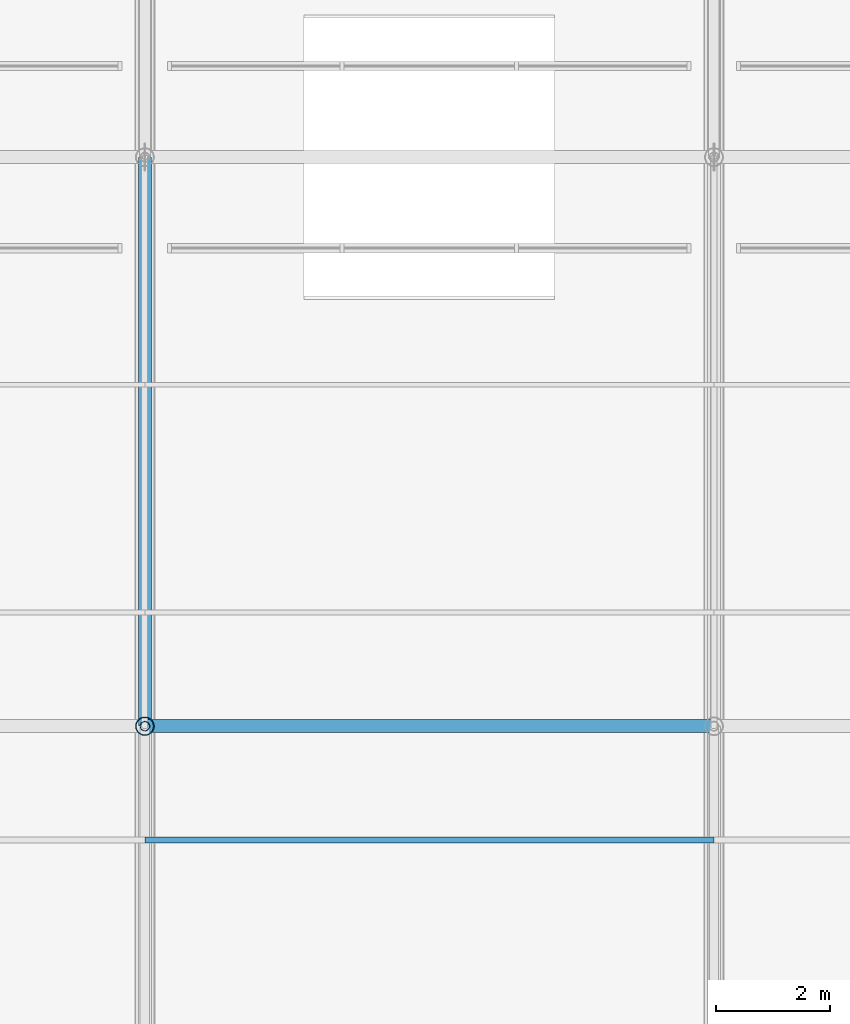
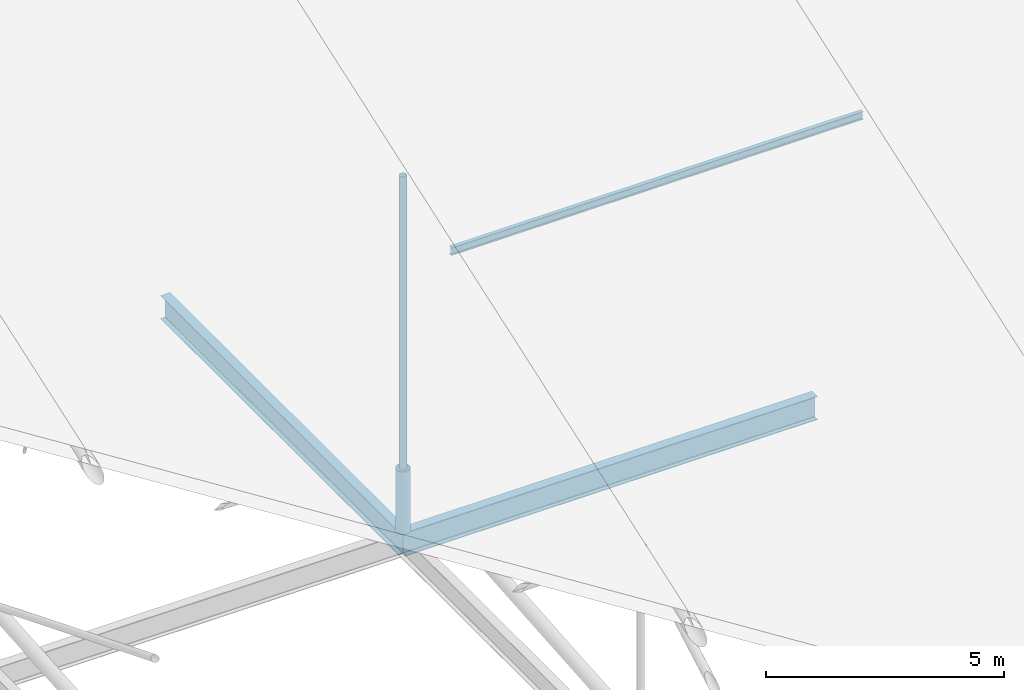
# One storey, part 21 of 93: 3 members, 2 beams.
"""IFC4 building model written with IfcOpenShell, lengths in metres."""

import ifcopenshell
import ifcopenshell.guid

model = None  # the IFC model being written
_history = None  # IfcOwnerHistory: only IFC2X3 demands one
_inside = {}  # id of a spatial element -> (the spatial element, [elements in it])
_under = {}  # id of a project, library or spatial element -> (it, [spatial elements below it])
_declared = {}  # id of a project -> (the project, [libraries it declares])
_typed = {}  # id of a type object -> (the type object, [elements of that type])
_made_of = {}  # id of a material, layer set ... -> (it, [elements and type objects made of it])


def new_model(schema):
    """Start an empty IFC model of exactly this schema.

    Asked for "IFC4X3", IfcOpenShell would pick the latest addendum, in which some entities
    have other attributes; the version numbers below select the first issue.
    IFC2X3 requires an IfcOwnerHistory on every rooted entity: one is made here for all.
    """
    global model, _history
    if schema == "IFC4X3":
        model = ifcopenshell.file(schema_version=(4, 3, 0, 0))
    else:
        model = ifcopenshell.file(schema=schema)
    _inside.clear()
    _under.clear()
    _declared.clear()
    _typed.clear()
    _made_of.clear()
    _history = None
    if model.schema == "IFC2X3":
        org = make("IfcOrganization", Name="unknown")
        user = make(
            "IfcPersonAndOrganization",
            ThePerson=make("IfcPerson", FamilyName="unknown"),
            TheOrganization=org,
        )
        app = make(
            "IfcApplication",
            ApplicationDeveloper=org,
            Version="unknown",
            ApplicationFullName="unknown",
            ApplicationIdentifier="unknown",
        )
        _history = make(
            "IfcOwnerHistory",
            OwningUser=user,
            OwningApplication=app,
            ChangeAction="ADDED",
            CreationDate=0,
        )
    return model


def make(cls, **values):
    """One entity of the class cls with the attributes given. An attribute that is None is left unset."""
    return model.create_entity(
        cls, **{name: value for name, value in values.items() if value is not None}
    )


def rooted(cls, **values):
    """An entity with a GlobalId (a new one), such as an element, a storey or a relation."""
    return make(cls, GlobalId=ifcopenshell.guid.new(), OwnerHistory=_history, **values)


def si_unit(unit_type, name, prefix=None):
    """IfcSIUnit, for example si_unit("LENGTHUNIT", "METRE", prefix="MILLI")."""
    return make("IfcSIUnit", UnitType=unit_type, Prefix=prefix, Name=name)


def derived_unit(unit_type, elements):
    """IfcDerivedUnit: a product of units, each with its exponent."""
    return make(
        "IfcDerivedUnit",
        Elements=[
            make("IfcDerivedUnitElement", Unit=unit, Exponent=power)
            for unit, power in elements
        ],
        UnitType=unit_type,
    )


def assignment(units):
    """IfcUnitAssignment: the units of a project."""
    return None if units is None else make("IfcUnitAssignment", Units=units)


def point(xyz):
    """IfcCartesianPoint."""
    return None if xyz is None else make("IfcCartesianPoint", Coordinates=xyz)


def direction(xyz):
    """IfcDirection."""
    return None if xyz is None else make("IfcDirection", DirectionRatios=xyz)


def frame(location, z_axis=None, x_axis=None):
    """IfcAxis2Placement3D, a coordinate frame: its origin and axes. An axis left out is left unset."""
    return make(
        "IfcAxis2Placement3D",
        Location=point(location),
        Axis=direction(z_axis),
        RefDirection=direction(x_axis),
    )


def frame_2d(location, x_axis=None):
    """IfcAxis2Placement2D, a coordinate frame in the plane: its origin and x axis."""
    return make(
        "IfcAxis2Placement2D", Location=point(location), RefDirection=direction(x_axis)
    )


def origin():
    """The frame at (0, 0, 0) with its axes left unset."""
    return frame((0.0, 0.0, 0.0))


def origin_2d_with_axis():
    """The frame at (0, 0) in the plane with the x axis (1, 0) written out."""
    return frame_2d((0.0, 0.0), x_axis=(1.0, 0.0))


def place(relative_to, where):
    """IfcLocalPlacement: puts the frame where relative to a parent placement (None: the world)."""
    return make(
        "IfcLocalPlacement", PlacementRelTo=relative_to, RelativePlacement=where
    )


def context(
    kind, dimensions, precision=None, world=None, true_north=None, identifier=None
):
    """IfcGeometricRepresentationContext, for example the 3D "Model" context."""
    return make(
        "IfcGeometricRepresentationContext",
        ContextIdentifier=identifier,
        ContextType=kind,
        CoordinateSpaceDimension=dimensions,
        Precision=precision,
        WorldCoordinateSystem=world,
        TrueNorth=true_north,
    )


def subcontext(parent, identifier, kind, view, scale=None):
    """IfcGeometricRepresentationSubContext, for example "Body" below "Model"."""
    return make(
        "IfcGeometricRepresentationSubContext",
        ContextIdentifier=identifier,
        ContextType=kind,
        ParentContext=parent,
        TargetScale=scale,
        TargetView=view,
    )


def project(units=None, contexts=None):
    """IfcProject with its units and contexts."""
    return rooted(
        "IfcProject",
        Name="project",
        RepresentationContexts=contexts,
        UnitsInContext=assignment(units),
    )


def spatial(cls, under=None, at=None, **own):
    """A site, building, storey or space (cls), placed at a placement, below another one or the project."""
    s = rooted(cls, ObjectPlacement=at, **own)
    if under is not None:
        _under.setdefault(under.id(), (under, []))[1].append(s)
    return s


def profile(cls, at=None, kind="AREA", **sizes):
    """A parametric profile (cls). Its sizes go by their IFC names, for example OverallWidth=200.0."""
    return make(cls, ProfileType=kind, Position=at, **sizes)


def hollow_circle(**sizes):
    """IfcCircleHollowProfileDef."""
    return profile("IfcCircleHollowProfileDef", **sizes)


def i_section(**sizes):
    """IfcIShapeProfileDef."""
    return profile("IfcIShapeProfileDef", **sizes)


def extrude(swept, where, along, depth):
    """IfcExtrudedAreaSolid: the profile swept, set in the frame where, extruded along a direction by depth."""
    return make(
        "IfcExtrudedAreaSolid",
        SweptArea=swept,
        Position=where,
        ExtrudedDirection=direction(along),
        Depth=depth,
    )


def shape(context_of_items, identifier, shape_type, items):
    """IfcShapeRepresentation: the items that make up one representation, for example the "Body"."""
    return make(
        "IfcShapeRepresentation",
        ContextOfItems=context_of_items,
        RepresentationIdentifier=identifier,
        RepresentationType=shape_type,
        Items=items,
    )


def material(Name=None, Category=None):
    """IfcMaterial."""
    return make("IfcMaterial", Name=Name, Category=Category)


def material_profile(
    of_material, cross_section, Name=None, Category=None, Priority=None
):
    """IfcMaterialProfile: a cross section and its material."""
    return make(
        "IfcMaterialProfile",
        Name=Name,
        Material=of_material,
        Profile=cross_section,
        Priority=Priority,
        Category=Category,
    )


def profile_set(profiles, Name=None, composite=None):
    """IfcMaterialProfileSet."""
    return make(
        "IfcMaterialProfileSet",
        Name=Name,
        MaterialProfiles=profiles,
        CompositeProfile=composite,
    )


def made_of(thing, what):
    """Note that an element or type object is made of a material, layer set ...; save() writes the relation."""
    if what is not None:
        _made_of.setdefault(what.id(), (what, []))[1].append(thing)
    return thing


def type_object(cls, material=None, **own):
    """A type object (cls), such as IfcWallType, which elements share."""
    return made_of(rooted(cls, **own), material)


def element(
    cls,
    number,
    at=None,
    inside=None,
    cuts=None,
    type_object=None,
    material=None,
    context=None,
    identifier="Body",
    shape_type=None,
    held_by="IfcProductDefinitionShape",
    body=None,
    shapes=None,
    **own,
):
    """One element of the class cls, such as IfcWall. Its Tag is "e" and its number.

    at: its placement. inside: the storey or other place that contains it. cuts: it is an
    opening in that element (IfcRelVoidsElement). A single representation is given by context,
    identifier, shape_type and body (its items); several are given by shapes. held_by: the class
    of the entity that holds the representations. save() writes the other relations.
    """
    e = rooted(cls, Tag="e%d" % number, ObjectPlacement=at, **own)
    if body is not None:
        shapes = [shape(context, identifier, shape_type, body)]
    if shapes is not None:
        e.Representation = make(held_by, Representations=shapes)
    if inside is not None:
        _inside.setdefault(inside.id(), (inside, []))[1].append(e)
    if cuts is not None:
        rooted(
            "IfcRelVoidsElement", RelatingBuildingElement=cuts, RelatedOpeningElement=e
        )
    if type_object is not None:
        _typed.setdefault(type_object.id(), (type_object, []))[1].append(e)
    return made_of(e, material)


def aggregate(whole, parts):
    """IfcRelAggregates: a whole, such as a stair, and the parts it consists of."""
    return rooted("IfcRelAggregates", RelatingObject=whole, RelatedObjects=parts)


def save(model, path):
    """Write the relations noted so far, then the file.

    IfcRelAggregates (storeys below a building ...), IfcRelContainedInSpatialStructure (elements
    in a storey), IfcRelDefinesByType, IfcRelAssociatesMaterial and IfcRelDeclares: one each for
    every whole, place, type object, material and project.
    """
    for whole, parts in _under.values():
        aggregate(whole, parts)
    for where, things in _inside.values():
        rooted(
            "IfcRelContainedInSpatialStructure",
            RelatedElements=things,
            RelatingStructure=where,
        )
    for kind, things in _typed.values():
        rooted("IfcRelDefinesByType", RelatedObjects=things, RelatingType=kind)
    for what, things in _made_of.values():
        rooted("IfcRelAssociatesMaterial", RelatedObjects=things, RelatingMaterial=what)
    for by, libraries in _declared.values():
        rooted("IfcRelDeclares", RelatingContext=by, RelatedDefinitions=libraries)
    model.write(path)


model = new_model("IFC4")

# Units and contexts
model_context = context("Model", 3, precision=1e-05, world=origin(), true_north=direction((0.0, 1.0)))
body_context = subcontext(model_context, "Body", "Model", "MODEL_VIEW")
ifc_project = project(units=[si_unit("LENGTHUNIT", "METRE"), si_unit("AREAUNIT", "SQUARE_METRE"), si_unit("VOLUMEUNIT", "CUBIC_METRE"), si_unit("PLANEANGLEUNIT", "RADIAN"), si_unit("MASSUNIT", "GRAM", prefix="KILO"), derived_unit("THERMALTRANSMITTANCEUNIT", [(si_unit("POWERUNIT", "WATT"), 1), (si_unit("LENGTHUNIT", "METRE"), -2), (si_unit("THERMODYNAMICTEMPERATUREUNIT", "KELVIN"), -1)])], contexts=[model_context])

# Site, building, storey
site_placement = place(None, origin())
site = spatial("IfcSite", under=ifc_project, at=site_placement, CompositionType="ELEMENT")
building_placement = place(site_placement, origin())
building = spatial("IfcBuilding", under=site, at=building_placement, Name="Cinnabar Yard Market Hall", CompositionType="ELEMENT")
storey_placement = place(building_placement, frame((0.0, 0.0, 23.800048828125)))
storey = spatial("IfcBuildingStorey", under=building, at=storey_placement, Name="ROOF", CompositionType="ELEMENT", Elevation=23.800048828125)

# Beams
ifc_material_1 = material(Name="Steel Grade 300 (300 MPa)", Category="steel")
ifc_material_profile_1 = material_profile(ifc_material_1, i_section(OverallWidth=0.22802734375, OverallDepth=0.60205078125, WebThickness=0.010498046875, FlangeThickness=0.014892578125, FilletRadius=0.013916015625, at=origin_2d_with_axis()), Name="610UB101")
ifc_profile_set_1 = profile_set([ifc_material_profile_1], Name="Steel Grade 300 (300 MPa)")
beam_type = type_object("IfcBeamType", Name="BM-B02", PredefinedType="BEAM", material=ifc_profile_set_1)
for number, where, z_axis, x_axis, name in (
    (1, (106.0, 34.0, -9.700927734375), (1.0, 0.0, 0.0), (0.0, 1.0, 0.0), "Hall Longitudinal Tie Girder 00383"),
    (2, (106.0, 34.0, -9.700927734375), (0.0, 1.0, 0.0), (-1.0, 0.0, 0.0), "Hall Transverse Tie Girder 00425"),
):
    element("IfcBeam", number, at=place(storey_placement, frame(where, z_axis=z_axis, x_axis=x_axis)), inside=storey, type_object=beam_type, Name=name, PredefinedType="BEAM", context=body_context, shape_type="SweptSolid", body=[
        extrude(i_section(OverallWidth=0.22802734375, OverallDepth=0.60205078125, WebThickness=0.010498046875, FlangeThickness=0.014892578125, FilletRadius=0.013916015625, at=origin_2d_with_axis()), origin(), (0.0, 0.0, 1.0), 10.0),
    ])

# Members
ifc_material_profile_2 = material_profile(ifc_material_1, i_section(OverallWidth=0.09912109375, OverallDepth=0.197998046875, WebThickness=0.00439453125, FlangeThickness=0.007080078125, FilletRadius=0.0087890625, at=origin_2d_with_axis()), Name="200UB18.2")
ifc_profile_set_2 = profile_set([ifc_material_profile_2], Name="Steel Grade 300 (300 MPa)")
member_type_1 = type_object("IfcMemberType", Name="MB-PU05", PredefinedType="PURLIN", material=ifc_profile_set_2)
member_1_placement = place(storey_placement, frame((106.0, 32.0, -1.016845703125), z_axis=(1.0, 0.0, 0.0), x_axis=(0.0, 1.0, 0.0)))
element("IfcMember", 3, at=member_1_placement, inside=storey, type_object=member_type_1, Name="Hall Roof Purlin Y32 X106", PredefinedType="PURLIN", context=body_context, shape_type="SweptSolid", body=[
    extrude(i_section(OverallWidth=0.09912109375, OverallDepth=0.197998046875, WebThickness=0.00439453125, FlangeThickness=0.007080078125, FilletRadius=0.0087890625, at=origin_2d_with_axis()), origin(), (0.0, 0.0, 1.0), 10.0),
])
ifc_material_2 = material(Name="Spotted-gum glulam-clad steel Grade 350 (350 MPa)", Category="steel")
ifc_material_profile_3 = material_profile(ifc_material_2, hollow_circle(Radius=0.161865234375, WallThickness=0.009521484375, at=origin_2d_with_axis()), Name="323.9x9.5CHS")
ifc_profile_set_3 = profile_set([ifc_material_profile_3], Name="Spotted-gum glulam-clad steel Grade 350 (350 MPa)")
member_type_2 = type_object("IfcMemberType", Name="MB-ST01", PredefinedType="STRUT", material=ifc_profile_set_3)
member_2_placement = place(storey_placement, frame((106.0, 34.0, -9.400146484375), z_axis=(0.0, 0.0, 1.0), x_axis=(1.0, 0.0, 0.0)))
element("IfcMember", 4, at=member_2_placement, inside=storey, type_object=member_type_2, Name="Truss Bearing Post 106-34", PredefinedType="STRUT", context=body_context, shape_type="SweptSolid", body=[
    extrude(hollow_circle(Radius=0.161865234375, WallThickness=0.009521484375, at=origin_2d_with_axis()), origin(), (0.0, 0.0, 1.0), 1.60009765625),
])
ifc_material_3 = material(Name="Cold-formed steel C350L0", Category="steel")
ifc_material_profile_4 = material_profile(ifc_material_3, hollow_circle(Radius=0.084228515625, WallThickness=0.00634765625, at=origin_2d_with_axis()), Name="168.3x6.4CHS")
ifc_profile_set_4 = profile_set([ifc_material_profile_4], Name="Cold-formed steel C350L0")
member_type_3 = type_object("IfcMemberType", Name="MB-WB01", PredefinedType="STRUT", material=ifc_profile_set_4)
member_3_placement = place(storey_placement, frame((106.0, 34.0, -7.800048828125), z_axis=(0.0, 0.0, 1.0), x_axis=(1.0, 0.0, 0.0)))
element("IfcMember", 5, at=member_3_placement, inside=storey, type_object=member_type_3, Name="Hall Truss 106 Post 2", PredefinedType="STRUT", context=body_context, shape_type="SweptSolid", body=[
    extrude(hollow_circle(Radius=0.084228515625, WallThickness=0.00634765625, at=origin_2d_with_axis()), origin(), (0.0, 0.0, 1.0), 7.519287109375),
])

save(model, "model.ifc")
